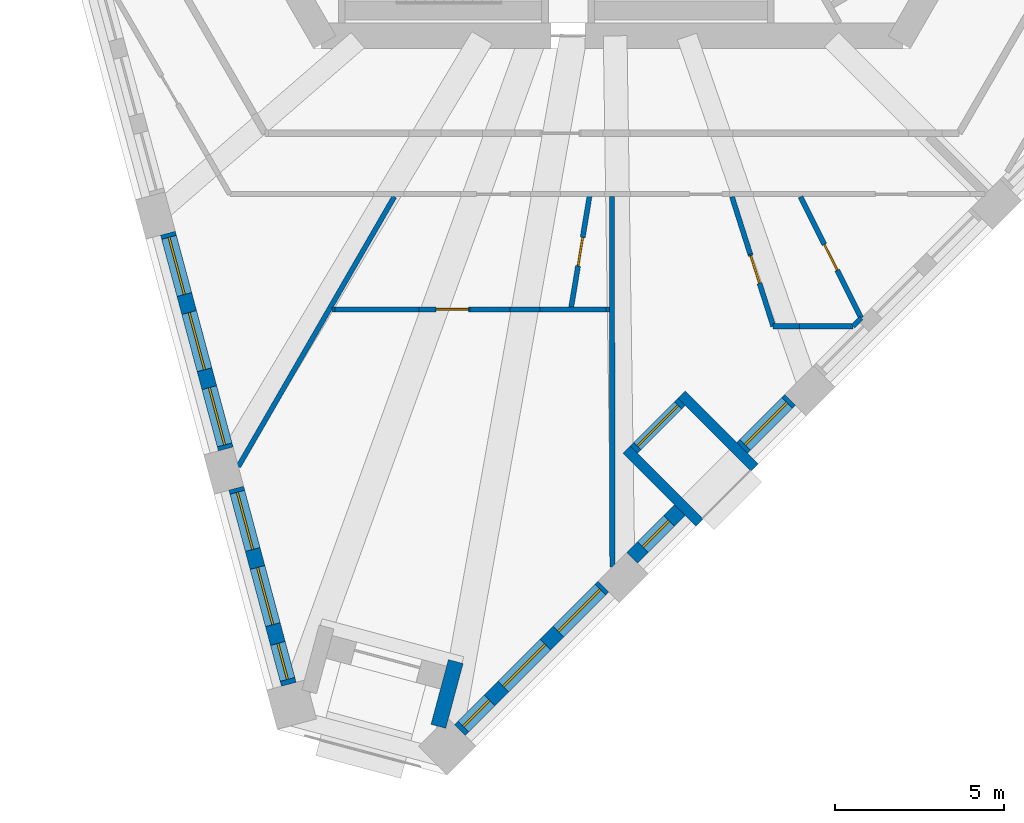
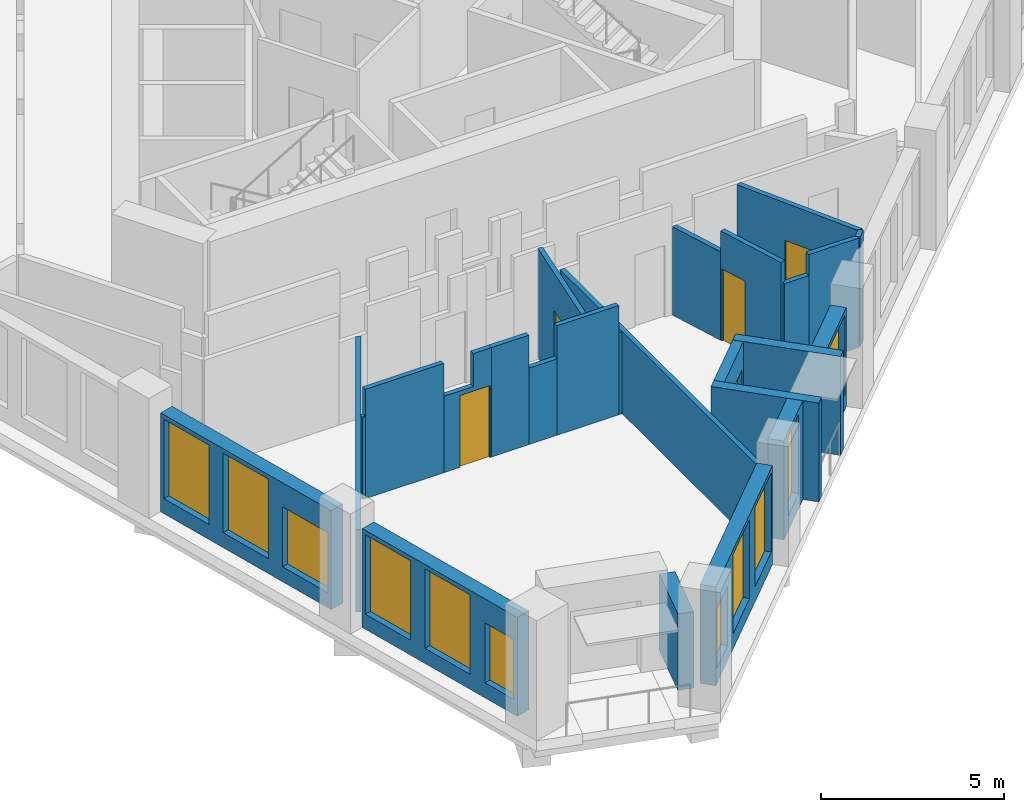
# One storey, part 2 of 13: 25 walls, 11 windows, 5 doors, 16 openings.
"""IFC4 building model written with IfcOpenShell, lengths in metres."""

from ifc_helpers import new_model, si_unit, direction, frame, frame_2d, origin, place, context, subcontext, project, spatial, polyline, rectangle, outline, extrude, material, layer, layer_set, type_object, element, fill, save


model = new_model("IFC4")

# Units and contexts
model_context = context("Model", 3, precision=1e-05, world=origin(), true_north=direction((0.0, 1.0)))
body_context = subcontext(model_context, "Body", "Model", "MODEL_VIEW")
ifc_project = project(units=[si_unit("LENGTHUNIT", "METRE"), si_unit("AREAUNIT", "SQUARE_METRE"), si_unit("VOLUMEUNIT", "CUBIC_METRE"), si_unit("PLANEANGLEUNIT", "RADIAN"), si_unit("MASSUNIT", "GRAM", prefix="KILO")], contexts=[model_context])

# Site, building, storey
site_placement = place(None, origin())
site = spatial("IfcSite", under=ifc_project, at=site_placement, CompositionType="ELEMENT")
building_placement = place(site_placement, origin())
building = spatial("IfcBuilding", under=site, at=building_placement, Name="Tramontana Tower", CompositionType="ELEMENT")
storey_placement = place(building_placement, frame((0.0, 0.0, 208.0)))
storey = spatial("IfcBuildingStorey", under=building, at=storey_placement, Name="L48", CompositionType="ELEMENT", Elevation=208.0)

# Wall, openings, windows
ifc_material_1 = material(Name="Precast concrete 60 MPa", Category="concrete")
ifc_layer_1 = layer(ifc_material_1, 0.449951171875)
ifc_layer_set_1 = layer_set([ifc_layer_1], Name="Precast concrete 60 MPa, 450 mm")
wall_type_1 = type_object("IfcWallType", Name="EW1 Stone-faced precast wall 450", PredefinedType="SOLIDWALL", material=ifc_layer_set_1)
wall_1_placement = place(storey_placement, frame((-13.11328125, -12.2041015625, 0.0), z_axis=(0.0, 0.0, 1.0), x_axis=(0.258835402268, -0.965921443251, 0.0)))
wall_1 = element("IfcWall", 1, at=wall_1_placement, inside=storey, type_object=wall_type_1, Name="External wall L48 face 0 bay 5", PredefinedType="SOLIDWALL", context=body_context, shape_type="SweptSolid", body=[
    extrude(rectangle(XDim=6.593994140625, YDim=0.449951171875, at=frame_2d((3.296875, 0.0))), origin(), (0.0, 0.0, 1.0), 3.300048828125),
])
opening_1_placement = place(wall_1_placement, frame((0.1240234375, 0.0, 0.5)))
opening_1 = element("IfcOpeningElement", 2, at=opening_1_placement, cuts=wall_1, Name="Opening M2", PredefinedType="OPENING", context=body_context, shape_type="SweptSolid", body=[
    extrude(rectangle(XDim=1.75, YDim=2.64990234375, at=frame_2d((0.875, 1.324951171875))), frame((0.0, 0.23486328125, 0.0), z_axis=(0.0, -1.0, 0.0), x_axis=(1.0, 0.0, 0.0)), (0.0, 0.0, 1.0), 0.469970703125),
])
opening_2_placement = place(wall_1_placement, frame((2.422119140625, 0.0, 0.5)))
opening_2 = element("IfcOpeningElement", 3, at=opening_2_placement, cuts=wall_1, Name="Opening M2", PredefinedType="OPENING", context=body_context, shape_type="SweptSolid", body=[
    extrude(rectangle(XDim=1.75, YDim=2.64990234375, at=frame_2d((0.875, 1.324951171875))), frame((0.0, 0.23486328125, 0.0), z_axis=(0.0, -1.0, 0.0), x_axis=(1.0, 0.0, 0.0)), (0.0, 0.0, 1.0), 0.469970703125),
])
opening_3_placement = place(wall_1_placement, frame((4.72021484375, 0.0, 0.5)))
opening_3 = element("IfcOpeningElement", 4, at=opening_3_placement, cuts=wall_1, Name="Opening M2L", PredefinedType="OPENING", context=body_context, shape_type="SweptSolid", body=[
    extrude(rectangle(XDim=1.75, YDim=2.0, at=frame_2d((0.875, 1.0))), frame((0.0, 0.23486328125, 0.0), z_axis=(0.0, -1.0, 0.0), x_axis=(1.0, 0.0, 0.0)), (0.0, 0.0, 1.0), 0.469970703125),
])
ifc_material_2 = material(Name="Aluminum frame, double glazing unit", Category="aluminium")
window_type_1 = type_object("IfcWindowType", Name="M2 Window 1.75 x 2.65", PartitioningType="SINGLE_PANEL", PredefinedType="WINDOW", material=ifc_material_2)
window_1_placement = place(opening_1_placement, origin())
window_1 = element("IfcWindow", 5, at=window_1_placement, inside=storey, type_object=window_type_1, Name="Window M2 L48 face 0 module 13", OverallHeight=2.64990234375, OverallWidth=1.75, PartitioningType="SINGLE_PANEL", PredefinedType="WINDOW", context=body_context, shape_type="SweptSolid", body=[
    extrude(rectangle(XDim=1.75, YDim=2.64990234375, at=frame_2d((0.875, 1.324951171875))), frame((0.0, 0.030029296875, 0.0), z_axis=(0.0, -1.0, 0.0), x_axis=(1.0, 0.0, 0.0)), (0.0, 0.0, 1.0), 0.06005859375),
])
fill(opening_1, window_1)
window_2_placement = place(opening_2_placement, origin())
window_2 = element("IfcWindow", 6, at=window_2_placement, inside=storey, type_object=window_type_1, Name="Window M2 L48 face 0 module 14", OverallHeight=2.64990234375, OverallWidth=1.75, PartitioningType="SINGLE_PANEL", PredefinedType="WINDOW", context=body_context, shape_type="SweptSolid", body=[
    extrude(rectangle(XDim=1.75, YDim=2.64990234375, at=frame_2d((0.875, 1.324951171875))), frame((0.0, 0.030029296875, 0.0), z_axis=(0.0, -1.0, 0.0), x_axis=(1.0, 0.0, 0.0)), (0.0, 0.0, 1.0), 0.06005859375),
])
fill(opening_2, window_2)
ifc_material_3 = material(Name="Aluminum frame, double glazing unit", Category="aluminium")
window_type_2 = type_object("IfcWindowType", Name="M2L Window 1.75 x 2", PartitioningType="SINGLE_PANEL", PredefinedType="WINDOW", material=ifc_material_3)
window_3_placement = place(opening_3_placement, origin())
window_3 = element("IfcWindow", 7, at=window_3_placement, inside=storey, type_object=window_type_2, Name="Window M2L L48 face 0 module 15", OverallHeight=2.0, OverallWidth=1.75, PartitioningType="SINGLE_PANEL", PredefinedType="WINDOW", context=body_context, shape_type="SweptSolid", body=[
    extrude(rectangle(XDim=1.75, YDim=2.0, at=frame_2d((0.875, 1.0))), frame((0.0, 0.030029296875, 0.0), z_axis=(0.0, -1.0, 0.0), x_axis=(1.0, 0.0, 0.0)), (0.0, 0.0, 1.0), 0.06005859375),
])
fill(opening_3, window_3)

wall_2_placement = place(storey_placement, frame((-11.095947265625, -19.732666015625, 0.0), z_axis=(0.0, 0.0, 1.0), x_axis=(0.258831089404, -0.965922598948, 0.0)))
wall_2 = element("IfcWall", 8, at=wall_2_placement, inside=storey, type_object=wall_type_1, Name="External wall L48 face 0 bay 6", PredefinedType="SOLIDWALL", context=body_context, shape_type="SweptSolid", body=[
    extrude(rectangle(XDim=5.994384765625, YDim=0.449951171875, at=frame_2d((2.9970703125, 0.0))), origin(), (0.0, 0.0, 1.0), 3.300048828125),
])
opening_4_placement = place(wall_2_placement, frame((0.1240234375, 0.0, 0.5)))
opening_4 = element("IfcOpeningElement", 9, at=opening_4_placement, cuts=wall_2, Name="Opening M2", PredefinedType="OPENING", context=body_context, shape_type="SweptSolid", body=[
    extrude(rectangle(XDim=1.75, YDim=2.64990234375, at=frame_2d((0.875, 1.324951171875))), frame((0.0, 0.23486328125, 0.0), z_axis=(0.0, -1.0, 0.0), x_axis=(1.0, 0.0, 0.0)), (0.0, 0.0, 1.0), 0.469970703125),
])
opening_5_placement = place(wall_2_placement, frame((2.422119140625, 0.0, 0.5)))
opening_5 = element("IfcOpeningElement", 10, at=opening_5_placement, cuts=wall_2, Name="Opening M2", PredefinedType="OPENING", context=body_context, shape_type="SweptSolid", body=[
    extrude(rectangle(XDim=1.75, YDim=2.64990234375, at=frame_2d((0.875, 1.324951171875))), frame((0.0, 0.23486328125, 0.0), z_axis=(0.0, -1.0, 0.0), x_axis=(1.0, 0.0, 0.0)), (0.0, 0.0, 1.0), 0.469970703125),
])
opening_6_placement = place(wall_2_placement, frame((4.7451171875, 0.0, 0.5)))
opening_6 = element("IfcOpeningElement", 11, at=opening_6_placement, cuts=wall_2, Name="Opening N2L", PredefinedType="OPENING", context=body_context, shape_type="SweptSolid", body=[
    extrude(rectangle(XDim=1.10009765625, YDim=2.0, at=frame_2d((0.550048828125, 1.0))), frame((0.0, 0.23486328125, 0.0), z_axis=(0.0, -1.0, 0.0), x_axis=(1.0, 0.0, 0.0)), (0.0, 0.0, 1.0), 0.469970703125),
])
window_4_placement = place(opening_4_placement, origin())
window_4 = element("IfcWindow", 12, at=window_4_placement, inside=storey, type_object=window_type_1, Name="Window M2 L48 face 0 module 16", OverallHeight=2.64990234375, OverallWidth=1.75, PartitioningType="SINGLE_PANEL", PredefinedType="WINDOW", context=body_context, shape_type="SweptSolid", body=[
    extrude(rectangle(XDim=1.75, YDim=2.64990234375, at=frame_2d((0.875, 1.324951171875))), frame((0.0, 0.030029296875, 0.0), z_axis=(0.0, -1.0, 0.0), x_axis=(1.0, 0.0, 0.0)), (0.0, 0.0, 1.0), 0.06005859375),
])
fill(opening_4, window_4)
window_5_placement = place(opening_5_placement, origin())
window_5 = element("IfcWindow", 13, at=window_5_placement, inside=storey, type_object=window_type_1, Name="Window M2 L48 face 0 module 17", OverallHeight=2.64990234375, OverallWidth=1.75, PartitioningType="SINGLE_PANEL", PredefinedType="WINDOW", context=body_context, shape_type="SweptSolid", body=[
    extrude(rectangle(XDim=1.75, YDim=2.64990234375, at=frame_2d((0.875, 1.324951171875))), frame((0.0, 0.030029296875, 0.0), z_axis=(0.0, -1.0, 0.0), x_axis=(1.0, 0.0, 0.0)), (0.0, 0.0, 1.0), 0.06005859375),
])
fill(opening_5, window_5)
ifc_material_4 = material(Name="Aluminum frame, double glazing unit", Category="aluminium")
window_type_3 = type_object("IfcWindowType", Name="N2L Window 1.1 x 2", PartitioningType="SINGLE_PANEL", PredefinedType="WINDOW", material=ifc_material_4)
window_6_placement = place(opening_6_placement, origin())
window_6 = element("IfcWindow", 14, at=window_6_placement, inside=storey, type_object=window_type_3, Name="Window N2L L48 face 0 module 18", OverallHeight=2.0, OverallWidth=1.10009765625, PartitioningType="SINGLE_PANEL", PredefinedType="WINDOW", context=body_context, shape_type="SweptSolid", body=[
    extrude(rectangle(XDim=1.10009765625, YDim=2.0, at=frame_2d((0.550048828125, 1.0))), frame((0.0, 0.030029296875, 0.0), z_axis=(0.0, -1.0, 0.0), x_axis=(1.0, 0.0, 0.0)), (0.0, 0.0, 1.0), 0.06005859375),
])
fill(opening_6, window_6)

wall_3_placement = place(storey_placement, frame((-4.49560546875, -26.87548828125, 0.0), z_axis=(0.0, 0.0, 1.0), x_axis=(0.707106781187, 0.707106781187, 0.0)))
wall_3 = element("IfcWall", 15, at=wall_3_placement, inside=storey, type_object=wall_type_1, Name="External wall L48 face 1 bay 1", PredefinedType="SOLIDWALL", context=body_context, shape_type="SweptSolid", body=[
    extrude(rectangle(XDim=5.994140625, YDim=0.449951171875, at=frame_2d((2.9970703125, 0.0))), origin(), (0.0, 0.0, 1.0), 3.300048828125),
])
opening_7_placement = place(wall_3_placement, frame((0.14892578125, 0.0, 0.5)))
opening_7 = element("IfcOpeningElement", 16, at=opening_7_placement, cuts=wall_3, Name="Opening N2L", PredefinedType="OPENING", context=body_context, shape_type="SweptSolid", body=[
    extrude(rectangle(XDim=1.10009765625, YDim=2.0, at=frame_2d((0.550048828125, 1.0))), frame((0.0, 0.23486328125, 0.0), z_axis=(0.0, -1.0, 0.0), x_axis=(1.0, 0.0, 0.0)), (0.0, 0.0, 1.0), 0.469970703125),
])
opening_8_placement = place(wall_3_placement, frame((1.822021484375, 0.0, 0.5)))
opening_8 = element("IfcOpeningElement", 17, at=opening_8_placement, cuts=wall_3, Name="Opening M2", PredefinedType="OPENING", context=body_context, shape_type="SweptSolid", body=[
    extrude(rectangle(XDim=1.75, YDim=2.64990234375, at=frame_2d((0.875, 1.324951171875))), frame((0.0, 0.23486328125, 0.0), z_axis=(0.0, -1.0, 0.0), x_axis=(1.0, 0.0, 0.0)), (0.0, 0.0, 1.0), 0.469970703125),
])
opening_9_placement = place(wall_3_placement, frame((4.1201171875, 0.0, 0.5)))
opening_9 = element("IfcOpeningElement", 18, at=opening_9_placement, cuts=wall_3, Name="Opening M2", PredefinedType="OPENING", context=body_context, shape_type="SweptSolid", body=[
    extrude(rectangle(XDim=1.75, YDim=2.64990234375, at=frame_2d((0.875, 1.324951171875))), frame((0.0, 0.23486328125, 0.0), z_axis=(0.0, -1.0, 0.0), x_axis=(1.0, 0.0, 0.0)), (0.0, 0.0, 1.0), 0.469970703125),
])
window_7_placement = place(opening_8_placement, origin())
window_7 = element("IfcWindow", 19, at=window_7_placement, inside=storey, type_object=window_type_1, Name="Window M2 L48 face 1 module 2", OverallHeight=2.64990234375, OverallWidth=1.75, PartitioningType="SINGLE_PANEL", PredefinedType="WINDOW", context=body_context, shape_type="SweptSolid", body=[
    extrude(rectangle(XDim=1.75, YDim=2.64990234375, at=frame_2d((0.875, 1.324951171875))), frame((0.0, 0.030029296875, 0.0), z_axis=(0.0, -1.0, 0.0), x_axis=(1.0, 0.0, 0.0)), (0.0, 0.0, 1.0), 0.06005859375),
])
fill(opening_8, window_7)
window_8_placement = place(opening_9_placement, origin())
window_8 = element("IfcWindow", 20, at=window_8_placement, inside=storey, type_object=window_type_1, Name="Window M2 L48 face 1 module 3", OverallHeight=2.64990234375, OverallWidth=1.75, PartitioningType="SINGLE_PANEL", PredefinedType="WINDOW", context=body_context, shape_type="SweptSolid", body=[
    extrude(rectangle(XDim=1.75, YDim=2.64990234375, at=frame_2d((0.875, 1.324951171875))), frame((0.0, 0.030029296875, 0.0), z_axis=(0.0, -1.0, 0.0), x_axis=(1.0, 0.0, 0.0)), (0.0, 0.0, 1.0), 0.06005859375),
])
fill(opening_9, window_8)
window_9_placement = place(opening_7_placement, origin())
window_9 = element("IfcWindow", 21, at=window_9_placement, inside=storey, type_object=window_type_3, Name="Window N2L L48 face 1 module 1", OverallHeight=2.0, OverallWidth=1.10009765625, PartitioningType="SINGLE_PANEL", PredefinedType="WINDOW", context=body_context, shape_type="SweptSolid", body=[
    extrude(rectangle(XDim=1.10009765625, YDim=2.0, at=frame_2d((0.550048828125, 1.0))), frame((0.0, 0.030029296875, 0.0), z_axis=(0.0, -1.0, 0.0), x_axis=(1.0, 0.0, 0.0)), (0.0, 0.0, 1.0), 0.06005859375),
])
fill(opening_7, window_9)

# Wall, opening, window
wall_4_placement = place(storey_placement, frame((0.591552734375, -21.788330078125, 0.0), z_axis=(0.0, 0.0, 1.0), x_axis=(0.707106781187, 0.707106781187, 0.0)))
wall_4 = element("IfcWall", 22, at=wall_4_placement, inside=storey, type_object=wall_type_1, Name="External wall L48 face 1 bay 2", PredefinedType="SOLIDWALL", context=body_context, shape_type="SweptSolid", body=[
    extrude(rectangle(XDim=1.998046875, YDim=0.449951171875, at=frame_2d((0.9990234375, 0.0))), origin(), (0.0, 0.0, 1.0), 3.300048828125),
])
opening_10_placement = place(wall_4_placement, frame((0.448974609375, 0.0, 0.5)))
opening_10 = element("IfcOpeningElement", 23, at=opening_10_placement, cuts=wall_4, Name="Opening N2", PredefinedType="OPENING", context=body_context, shape_type="SweptSolid", body=[
    extrude(rectangle(XDim=1.10009765625, YDim=2.64990234375, at=frame_2d((0.550048828125, 1.324951171875))), frame((0.0, 0.23486328125, 0.0), z_axis=(0.0, -1.0, 0.0), x_axis=(1.0, 0.0, 0.0)), (0.0, 0.0, 1.0), 0.469970703125),
])
ifc_material_5 = material(Name="Aluminum frame, double glazing unit", Category="aluminium")
window_type_4 = type_object("IfcWindowType", Name="N2 Window 1.1 x 2.65", PartitioningType="SINGLE_PANEL", PredefinedType="WINDOW", material=ifc_material_5)
window_10_placement = place(opening_10_placement, origin())
window_10 = element("IfcWindow", 24, at=window_10_placement, inside=storey, type_object=window_type_4, Name="Window N2 L48 face 1 module 4", OverallHeight=2.64990234375, OverallWidth=1.10009765625, PartitioningType="SINGLE_PANEL", PredefinedType="WINDOW", context=body_context, shape_type="SweptSolid", body=[
    extrude(rectangle(XDim=1.10009765625, YDim=2.64990234375, at=frame_2d((0.550048828125, 1.324951171875))), frame((0.0, 0.030029296875, 0.0), z_axis=(0.0, -1.0, 0.0), x_axis=(1.0, 0.0, 0.0)), (0.0, 0.0, 1.0), 0.06005859375),
])
fill(opening_10, window_10)

wall_5_placement = place(storey_placement, frame((3.841552734375, -18.538330078125, 0.0), z_axis=(0.0, 0.0, 1.0), x_axis=(0.707106781187, 0.707106781187, 0.0)))
wall_5 = element("IfcWall", 25, at=wall_5_placement, inside=storey, type_object=wall_type_1, Name="External wall L48 face 1 bay 2", PredefinedType="SOLIDWALL", context=body_context, shape_type="SweptSolid", body=[
    extrude(rectangle(XDim=1.998046875, YDim=0.449951171875, at=frame_2d((0.9990234375, 0.0))), origin(), (0.0, 0.0, 1.0), 3.300048828125),
])
opening_11_placement = place(wall_5_placement, frame((0.1240234375, 0.0, 0.5)))
opening_11 = element("IfcOpeningElement", 26, at=opening_11_placement, cuts=wall_5, Name="Opening M2", PredefinedType="OPENING", context=body_context, shape_type="SweptSolid", body=[
    extrude(rectangle(XDim=1.75, YDim=2.64990234375, at=frame_2d((0.875, 1.324951171875))), frame((0.0, 0.23486328125, 0.0), z_axis=(0.0, -1.0, 0.0), x_axis=(1.0, 0.0, 0.0)), (0.0, 0.0, 1.0), 0.469970703125),
])
window_11_placement = place(opening_11_placement, origin())
window_11 = element("IfcWindow", 27, at=window_11_placement, inside=storey, type_object=window_type_1, Name="Window M2 L48 face 1 module 6", OverallHeight=2.64990234375, OverallWidth=1.75, PartitioningType="SINGLE_PANEL", PredefinedType="WINDOW", context=body_context, shape_type="SweptSolid", body=[
    extrude(rectangle(XDim=1.75, YDim=2.64990234375, at=frame_2d((0.875, 1.324951171875))), frame((0.0, 0.030029296875, 0.0), z_axis=(0.0, -1.0, 0.0), x_axis=(1.0, 0.0, 0.0)), (0.0, 0.0, 1.0), 0.06005859375),
])
fill(opening_11, window_11)

# Wall
wall_6_placement = place(storey_placement, frame((-5.126708984375, -26.76416015625, 0.0), z_axis=(0.0, 0.0, 1.0), x_axis=(0.258814190615, 0.965927127032, 0.0)))
element("IfcWall", 28, at=wall_6_placement, inside=storey, type_object=wall_type_1, Name="Corner loggia side wall L48 K51l", PredefinedType="SOLIDWALL", context=body_context, shape_type="SweptSolid", body=[
    extrude(rectangle(XDim=1.97900390625, YDim=0.449951171875, at=frame_2d((0.989501953125, 0.0))), origin(), (0.0, 0.0, 1.0), 2.550048828125),
])

# Wall, opening, door
ifc_material_6 = material(Name="Precast concrete 60 MPa", Category="concrete")
ifc_layer_2 = layer(ifc_material_6, 0.300048828125)
ifc_layer_set_2 = layer_set([ifc_layer_2], Name="LW1 Stone-faced loggia wall 300")
wall_type_2 = type_object("IfcWallType", Name="LW1 Stone-faced loggia wall 300", PredefinedType="SOLIDWALL", material=ifc_layer_set_2)
wall_7_placement = place(storey_placement, frame((0.643310546875, -18.590087890625, 0.0), z_axis=(0.0, 0.0, 1.0), x_axis=(0.707106781187, 0.707106781187, 0.0)))
wall_7 = element("IfcWall", 29, at=wall_7_placement, inside=storey, type_object=wall_type_2, Name="Loggia wall L48 G5S1.4", PredefinedType="SOLIDWALL", context=body_context, shape_type="SweptSolid", body=[
    extrude(rectangle(XDim=1.998046875, YDim=0.300048828125, at=frame_2d((0.9990234375, 0.0))), origin(), (0.0, 0.0, 1.0), 3.300048828125),
])
opening_12_placement = place(wall_7_placement, frame((0.14892578125, 0.0, 0.0)))
opening_12 = element("IfcOpeningElement", 30, at=opening_12_placement, cuts=wall_7, Name="Opening BD-5S1-04", PredefinedType="OPENING", context=body_context, shape_type="SweptSolid", body=[
    extrude(rectangle(XDim=1.699951171875, YDim=2.449951171875, at=frame_2d((0.85009765625, 1.22509765625))), frame((0.0, 0.159912109375, 0.0), z_axis=(0.0, -1.0, 0.0), x_axis=(1.0, 0.0, 0.0)), (0.0, 0.0, 1.0), 0.320068359375),
])
ifc_material_7 = material(Name="Aluminum frame, double glazing unit", Category="aluminium")
door_type_1 = type_object("IfcDoorType", Name="BD2 Sliding door 1.7 x 2.45", OperationType="SLIDING_TO_LEFT", PredefinedType="DOOR", material=ifc_material_7)
door_1_placement = place(opening_12_placement, origin())
door_1 = element("IfcDoor", 31, at=door_1_placement, inside=storey, type_object=door_type_1, Name="Loggia door L48 G5S1.4", OperationType="SLIDING_TO_LEFT", OverallHeight=2.449951171875, OverallWidth=1.699951171875, PredefinedType="DOOR", context=body_context, shape_type="SweptSolid", body=[
    extrude(rectangle(XDim=1.699951171875, YDim=2.449951171875, at=frame_2d((0.85009765625, 1.22509765625))), frame((0.0, 0.02490234375, 0.0), z_axis=(0.0, -1.0, 0.0), x_axis=(1.0, 0.0, 0.0)), (0.0, 0.0, 1.0), 0.050048828125),
])
fill(opening_12, door_1)

# Walls
for number, where, z_axis, x_axis, name in (
    (32, (2.587646484375, -20.746826171875, 0.0), (0.0, 0.0, 1.0), (-0.707066755897, 0.707146804211, 0.0), "Loggia return L48 G5S1.4a"),
    (33, (4.212646484375, -19.121826171875, 0.0), (0.0, 0.0, 1.0), (-0.707066755897, 0.707146804211, 0.0), "Loggia return L48 G5S1.4b"),
):
    element("IfcWall", number, at=place(storey_placement, frame(where, z_axis=z_axis, x_axis=x_axis)), inside=storey, type_object=wall_type_2, Name=name, PredefinedType="SOLIDWALL", context=body_context, shape_type="SweptSolid", body=[
        extrude(rectangle(XDim=3.0498046875, YDim=0.300048828125, at=frame_2d((1.52490234375, 0.0))), origin(), (0.0, 0.0, 1.0), 3.300048828125),
    ])
ifc_material_8 = material(Name="Gypsum board partition")
ifc_layer_3 = layer(ifc_material_8, 0.14990234375)
ifc_layer_set_3 = layer_set([ifc_layer_3], Name="PARTITION 150")
wall_type_3 = type_object("IfcWallType", Name="PARTITION 150", PredefinedType="PARTITIONING", material=ifc_layer_set_3)
wall_8_placement = place(storey_placement, frame((-11.033935546875, -19.0947265625, 0.0), z_axis=(0.0, 0.0, 1.0), x_axis=(0.500337694151, 0.86583034817, 0.0)))
element("IfcWall", 34, at=wall_8_placement, inside=storey, type_object=wall_type_3, Name="Wall v50-pw04-0", PredefinedType="PARTITIONING", context=body_context, shape_type="SweptSolid", body=[
    extrude(rectangle(XDim=9.204833984375, YDim=0.14990234375, at=frame_2d((4.6025390625, 0.0))), origin(), (0.0, 0.0, 1.0), 2.75),
])

# Wall, opening, door
wall_9_placement = place(storey_placement, frame((-0.6552734375, -11.052001953125, 0.0), z_axis=(0.0, 0.0, 1.0), x_axis=(-0.162305002106, -0.986740637803, 0.0)))
wall_9 = element("IfcWall", 35, at=wall_9_placement, inside=storey, type_object=wall_type_3, Name="Wall v50-pw09", PredefinedType="PARTITIONING", context=body_context, shape_type="SweptSolid", body=[
    extrude(rectangle(XDim=3.441650390625, YDim=0.14990234375, at=frame_2d((1.720703125, 0.0))), origin(), (0.0, 0.0, 1.0), 3.64990234375),
])
opening_13_placement = place(wall_9_placement, frame((1.295654296875, 0.0, 0.0)))
opening_13 = element("IfcOpeningElement", 36, at=opening_13_placement, cuts=wall_9, Name="Opening B5A-20", PredefinedType="OPENING", context=body_context, shape_type="SweptSolid", body=[
    extrude(rectangle(XDim=0.85009765625, YDim=2.39990234375, at=frame_2d((0.425048828125, 1.199951171875))), frame((0.0, 0.0849609375, 0.0), z_axis=(0.0, -1.0, 0.0), x_axis=(1.0, 0.0, 0.0)), (0.0, 0.0, 1.0), 0.169921875),
])
ifc_material_9 = material(Name="Painted timber", Category="wood")
door_type_2 = type_object("IfcDoorType", Name="DOOR BATH 850", OperationType="SINGLE_SWING_LEFT", PredefinedType="DOOR", material=ifc_material_9)
door_2_placement = place(opening_13_placement, origin())
door_2 = element("IfcDoor", 37, at=door_2_placement, inside=storey, type_object=door_type_2, Name="Door B5A-20", OperationType="SINGLE_SWING_RIGHT", OverallHeight=2.39990234375, OverallWidth=0.85009765625, PredefinedType="DOOR", context=body_context, shape_type="SweptSolid", body=[
    extrude(rectangle(XDim=0.85009765625, YDim=2.39990234375, at=frame_2d((0.425048828125, 1.199951171875))), frame((0.0, 0.02490234375, 0.0), z_axis=(0.0, -1.0, 0.0), x_axis=(1.0, 0.0, 0.0)), (0.0, 0.0, 1.0), 0.050048828125),
])
fill(opening_13, door_2)

# Walls
wall_10_placement = place(storey_placement, frame((0.004150390625, -11.125, 0.0), z_axis=(0.0, 0.0, 1.0), x_axis=(0.00035743804, -0.999999936119, 0.0)))
element("IfcWall", 38, at=wall_10_placement, inside=storey, type_object=wall_type_3, Name="Wall v50-pw10-0", PredefinedType="PARTITIONING", context=body_context, shape_type="SweptSolid", body=[
    extrude(rectangle(XDim=10.928466796875, YDim=0.14990234375, at=frame_2d((5.46435546875, 0.0))), origin(), (0.0, 0.0, 1.0), 2.75),
])
wall_11_placement = place(storey_placement, frame((-0.069580078125, -14.449951171875, 0.0), z_axis=(0.0, 0.0, 1.0), x_axis=(-1.0, 0.0, 0.0)))
element("IfcWall", 39, at=wall_11_placement, inside=storey, type_object=wall_type_3, Name="Wall v50-pw11-0", PredefinedType="PARTITIONING", context=body_context, shape_type="SweptSolid", body=[
    extrude(rectangle(XDim=0.107177734375, YDim=0.14990234375, at=frame_2d((0.0537109375, 0.0))), origin(), (0.0, 0.0, 1.0), 2.75),
])
wall_12_placement = place(storey_placement, frame((-0.1767578125, -14.449951171875, 0.0), z_axis=(0.0, 0.0, 1.0), x_axis=(-1.0, 0.0, 0.0)))
element("IfcWall", 40, at=wall_12_placement, inside=storey, type_object=wall_type_3, Name="Wall v50-pw11-1", PredefinedType="PARTITIONING", context=body_context, shape_type="SweptSolid", body=[
    extrude(rectangle(XDim=1.949951171875, YDim=0.14990234375, at=frame_2d((0.97509765625, 0.0))), origin(), (0.0, 0.0, 1.0), 3.64990234375),
])
wall_13_placement = place(storey_placement, frame((-2.126708984375, -14.449951171875, 0.0), z_axis=(0.0, 0.0, 1.0), x_axis=(-1.0, 0.0, 0.0)))
element("IfcWall", 41, at=wall_13_placement, inside=storey, type_object=wall_type_3, Name="Wall v50-pw11-2", PredefinedType="PARTITIONING", context=body_context, shape_type="SweptSolid", body=[
    extrude(rectangle(XDim=0.888671875, YDim=0.14990234375, at=frame_2d((0.4443359375, 0.0))), origin(), (0.0, 0.0, 1.0), 2.550048828125),
])
wall_14_placement = place(storey_placement, frame((-3.015380859375, -14.449951171875, 0.0), z_axis=(0.0, 0.0, 1.0), x_axis=(-1.0, 0.0, 0.0)))
element("IfcWall", 42, at=wall_14_placement, inside=storey, type_object=wall_type_3, Name="Wall v50-pw11-3", PredefinedType="PARTITIONING", context=body_context, shape_type="SweptSolid", body=[
    extrude(rectangle(XDim=1.177978515625, YDim=0.14990234375, at=frame_2d((0.5888671875, 0.0))), origin(), (0.0, 0.0, 1.0), 3.64990234375),
])

# Wall, opening, door
wall_15_placement = place(storey_placement, frame((-4.193359375, -14.449951171875, 0.0), z_axis=(0.0, 0.0, 1.0), x_axis=(-1.0, 0.0, 0.0)))
wall_15 = element("IfcWall", 43, at=wall_15_placement, inside=storey, type_object=wall_type_3, Name="Wall v50-pw11-4", PredefinedType="PARTITIONING", context=body_context, shape_type="SweptSolid", body=[
    extrude(outline(polyline([(0.0, 0.0), (1.505859375, 0.0), (1.505859375, 2.550048828125), (0.5751953125, 2.550048828125), (0.5751953125, 3.64990234375), (0.0, 3.64990234375), (0.0, 0.0)])), frame((0.0, 0.074951171875, 0.0), z_axis=(0.0, -1.0, 0.0), x_axis=(1.0, 0.0, 0.0)), (0.0, 0.0, 1.0), 0.14990234375),
])
opening_14_placement = place(wall_15_placement, frame((0.050048828125, 0.0, 0.0)))
opening_14 = element("IfcOpeningElement", 44, at=opening_14_placement, cuts=wall_15, Name="Opening B5A-18", PredefinedType="OPENING", context=body_context, shape_type="SweptSolid", body=[
    extrude(rectangle(XDim=0.949951171875, YDim=2.39990234375, at=frame_2d((0.47509765625, 1.199951171875))), frame((0.0, 0.0849609375, 0.0), z_axis=(0.0, -1.0, 0.0), x_axis=(1.0, 0.0, 0.0)), (0.0, 0.0, 1.0), 0.169921875),
])
ifc_material_10 = material(Name="Painted timber", Category="wood")
door_type_3 = type_object("IfcDoorType", Name="DOOR ROOM 950", OperationType="SINGLE_SWING_LEFT", PredefinedType="DOOR", material=ifc_material_10)
door_3_placement = place(opening_14_placement, origin())
door_3 = element("IfcDoor", 45, at=door_3_placement, inside=storey, type_object=door_type_3, Name="Door B5A-18", OperationType="SINGLE_SWING_RIGHT", OverallHeight=2.39990234375, OverallWidth=0.949951171875, PredefinedType="DOOR", context=body_context, shape_type="SweptSolid", body=[
    extrude(rectangle(XDim=0.949951171875, YDim=2.39990234375, at=frame_2d((0.47509765625, 1.199951171875))), frame((0.0, 0.02490234375, 0.0), z_axis=(0.0, -1.0, 0.0), x_axis=(1.0, 0.0, 0.0)), (0.0, 0.0, 1.0), 0.050048828125),
])
fill(opening_14, door_3)

# Walls
wall_16_placement = place(storey_placement, frame((-5.69921875, -14.449951171875, 0.0), z_axis=(0.0, 0.0, 1.0), x_axis=(-1.0, 0.0, 0.0)))
element("IfcWall", 46, at=wall_16_placement, inside=storey, type_object=wall_type_3, Name="Wall v50-pw11-5", PredefinedType="PARTITIONING", context=body_context, shape_type="SweptSolid", body=[
    extrude(rectangle(XDim=2.4755859375, YDim=0.14990234375, at=frame_2d((1.23779296875, 0.0))), origin(), (0.0, 0.0, 1.0), 3.64990234375),
])
wall_17_placement = place(storey_placement, frame((-8.1748046875, -14.449951171875, 0.0), z_axis=(0.0, 0.0, 1.0), x_axis=(-1.0, 0.0, 0.0)))
element("IfcWall", 47, at=wall_17_placement, inside=storey, type_object=wall_type_3, Name="Wall v50-pw11-6", PredefinedType="PARTITIONING", context=body_context, shape_type="SweptSolid", body=[
    extrude(rectangle(XDim=0.08837890625, YDim=0.14990234375, at=frame_2d((0.044189453125, 0.0))), origin(), (0.0, 0.0, 1.0), 2.75),
])

# Wall, opening, door
wall_18_placement = place(storey_placement, frame((4.0810546875, -12.818115234375, 0.0), z_axis=(0.0, 0.0, 1.0), x_axis=(0.303365803951, -0.952874172697, 0.0)))
wall_18 = element("IfcWall", 48, at=wall_18_placement, inside=storey, type_object=wall_type_3, Name="Wall v50-pw14-0", PredefinedType="PARTITIONING", context=body_context, shape_type="SweptSolid", body=[
    extrude(rectangle(XDim=2.2373046875, YDim=0.14990234375, at=frame_2d((1.11865234375, 0.0))), origin(), (0.0, 0.0, 1.0), 3.64990234375),
])
opening_15_placement = place(wall_18_placement, frame((0.05517578125, 0.0, 0.0)))
opening_15 = element("IfcOpeningElement", 49, at=opening_15_placement, cuts=wall_18, Name="Opening B5A-09", PredefinedType="OPENING", context=body_context, shape_type="SweptSolid", body=[
    extrude(rectangle(XDim=0.85009765625, YDim=2.39990234375, at=frame_2d((0.425048828125, 1.199951171875))), frame((0.0, 0.0849609375, 0.0), z_axis=(0.0, -1.0, 0.0), x_axis=(1.0, 0.0, 0.0)), (0.0, 0.0, 1.0), 0.169921875),
])
door_4_placement = place(opening_15_placement, origin())
door_4 = element("IfcDoor", 50, at=door_4_placement, inside=storey, type_object=door_type_2, Name="Door B5A-09", OperationType="SINGLE_SWING_LEFT", OverallHeight=2.39990234375, OverallWidth=0.85009765625, PredefinedType="DOOR", context=body_context, shape_type="SweptSolid", body=[
    extrude(rectangle(XDim=0.85009765625, YDim=2.39990234375, at=frame_2d((0.425048828125, 1.199951171875))), frame((0.0, 0.02490234375, 0.0), z_axis=(0.0, -1.0, 0.0), x_axis=(1.0, 0.0, 0.0)), (0.0, 0.0, 1.0), 0.050048828125),
])
fill(opening_15, door_4)

# Wall
wall_19_placement = place(storey_placement, frame((4.0810546875, -12.818115234375, 0.0), z_axis=(0.0, 0.0, 1.0), x_axis=(-0.3033794624, 0.95286982416, 0.0)))
element("IfcWall", 51, at=wall_19_placement, inside=storey, type_object=wall_type_3, Name="Wall v50-pw14-1", PredefinedType="PARTITIONING", context=body_context, shape_type="SweptSolid", body=[
    extrude(rectangle(XDim=1.77685546875, YDim=0.14990234375, at=frame_2d((0.888427734375, 0.0))), origin(), (0.0, 0.0, 1.0), 2.949951171875),
])

# Wall, opening, door
wall_20_placement = place(storey_placement, frame((7.356689453125, -14.705078125, 0.0), z_axis=(0.0, 0.0, 1.0), x_axis=(-0.447408746794, 0.894329588738, 0.0)))
wall_20 = element("IfcWall", 52, at=wall_20_placement, inside=storey, type_object=wall_type_3, Name="Wall v50-pw15", PredefinedType="PARTITIONING", context=body_context, shape_type="SweptSolid", body=[
    extrude(rectangle(XDim=4.003173828125, YDim=0.14990234375, at=frame_2d((2.00146484375, 0.0))), origin(), (0.0, 0.0, 1.0), 3.64990234375),
])
opening_16_placement = place(wall_20_placement, frame((1.57666015625, 0.0, 0.0)))
opening_16 = element("IfcOpeningElement", 53, at=opening_16_placement, cuts=wall_20, Name="Opening B5A-10", PredefinedType="OPENING", context=body_context, shape_type="SweptSolid", body=[
    extrude(rectangle(XDim=0.85009765625, YDim=2.39990234375, at=frame_2d((0.425048828125, 1.199951171875))), frame((0.0, 0.0849609375, 0.0), z_axis=(0.0, -1.0, 0.0), x_axis=(1.0, 0.0, 0.0)), (0.0, 0.0, 1.0), 0.169921875),
])
door_5_placement = place(opening_16_placement, origin())
door_5 = element("IfcDoor", 54, at=door_5_placement, inside=storey, type_object=door_type_2, Name="Door B5A-10", OperationType="SINGLE_SWING_RIGHT", OverallHeight=2.39990234375, OverallWidth=0.85009765625, PredefinedType="DOOR", context=body_context, shape_type="SweptSolid", body=[
    extrude(rectangle(XDim=0.85009765625, YDim=2.39990234375, at=frame_2d((0.425048828125, 1.199951171875))), frame((0.0, 0.02490234375, 0.0), z_axis=(0.0, -1.0, 0.0), x_axis=(1.0, 0.0, 0.0)), (0.0, 0.0, 1.0), 0.050048828125),
])
fill(opening_16, door_5)

# Walls
wall_21_placement = place(storey_placement, frame((7.11181640625, -14.949951171875, 0.0), z_axis=(0.0, 0.0, 1.0), x_axis=(-1.0, 0.0, 0.0)))
element("IfcWall", 55, at=wall_21_placement, inside=storey, type_object=wall_type_3, Name="Wall v50-pw17-0", PredefinedType="PARTITIONING", context=body_context, shape_type="SweptSolid", body=[
    extrude(rectangle(XDim=1.578369140625, YDim=0.14990234375, at=frame_2d((0.7890625, 0.0))), origin(), (0.0, 0.0, 1.0), 3.64990234375),
])
wall_22_placement = place(storey_placement, frame((5.533447265625, -14.949951171875, 0.0), z_axis=(0.0, 0.0, 1.0), x_axis=(-1.0, 0.0, 0.0)))
element("IfcWall", 56, at=wall_22_placement, inside=storey, type_object=wall_type_3, Name="Wall v50-pw17-1", PredefinedType="PARTITIONING", context=body_context, shape_type="SweptSolid", body=[
    extrude(rectangle(XDim=0.773681640625, YDim=0.14990234375, at=frame_2d((0.38671875, 0.0))), origin(), (0.0, 0.0, 1.0), 2.949951171875),
])
wall_23_placement = place(storey_placement, frame((7.356689453125, -14.705078125, 0.0), z_axis=(0.0, 0.0, 1.0), x_axis=(-0.707106781187, -0.707106781187, 0.0)))
element("IfcWall", 57, at=wall_23_placement, inside=storey, type_object=wall_type_3, Name="Wall v50-pwc00", PredefinedType="PARTITIONING", context=body_context, shape_type="SweptSolid", body=[
    extrude(rectangle(XDim=0.34619140625, YDim=0.14990234375, at=frame_2d((0.173095703125, 0.0))), origin(), (0.0, 0.0, 1.0), 3.64990234375),
])

save(model, "model.ifc")
